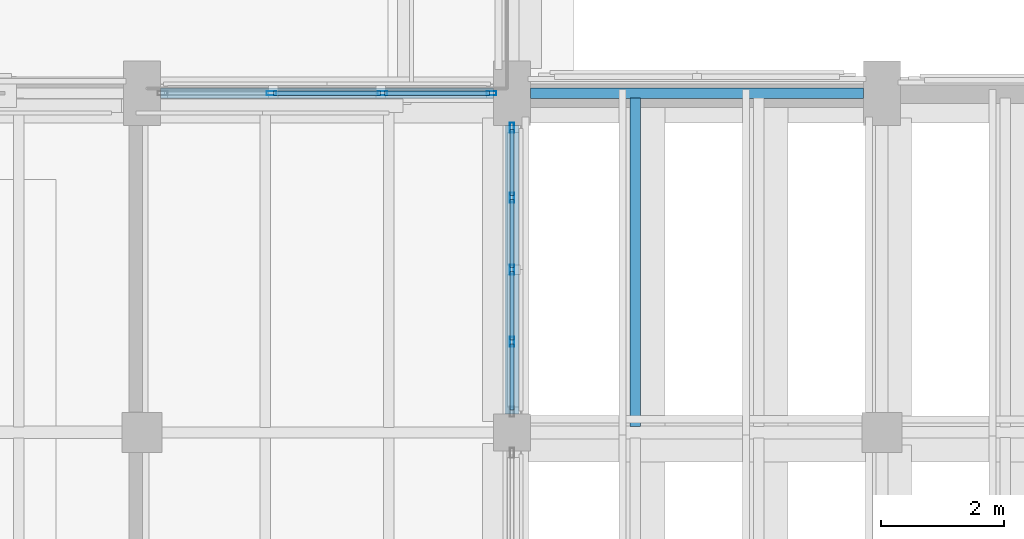
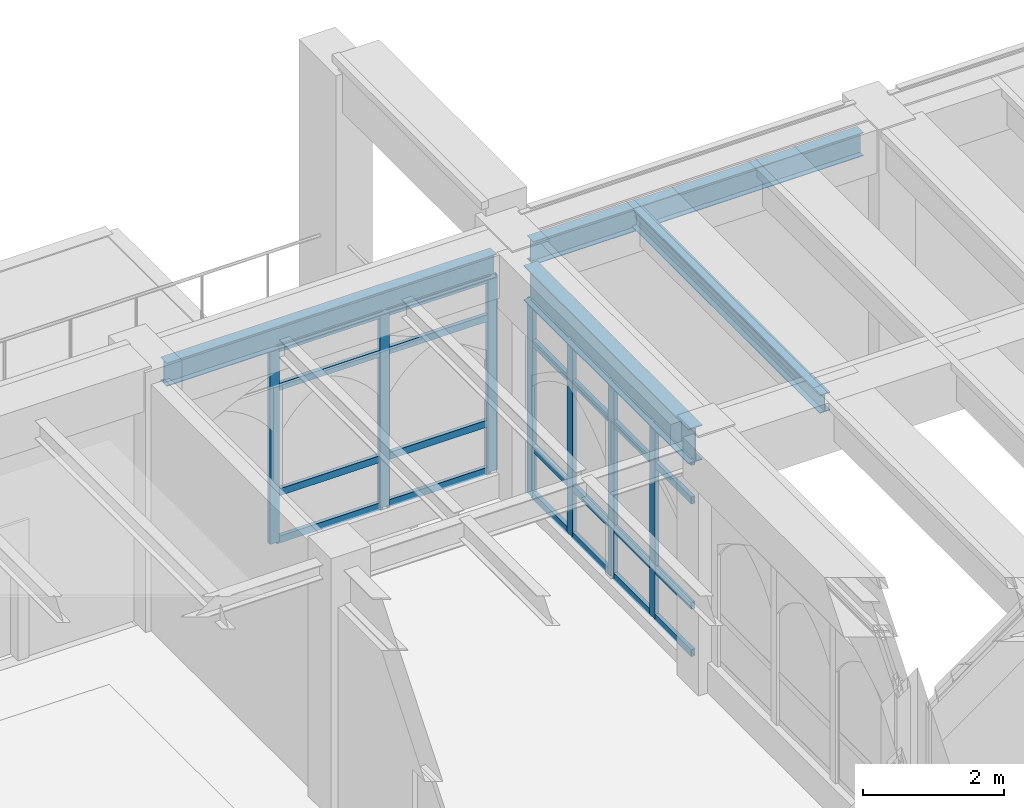
# One storey, part 58 of 127: 31 members, 4 beams, 2 elements without a shape of their own.
"""IFC4 building model written with IfcOpenShell, lengths in metres."""

from ifc_helpers import new_model, si_unit, direction, frame, origin, origin_2d, place, context, subcontext, project, spatial, hollow_rectangle, i_section, extrude, material, layer, layer_set, material_profile, profile_set, type_object, element, aggregate, save


model = new_model("IFC4")

# Units and contexts
model_context = context("Model", 3, precision=1e-05, world=origin(), true_north=direction((0.0, 1.0)))
body_context = subcontext(model_context, "Body", "Model", "MODEL_VIEW")
ifc_project = project(units=[si_unit("LENGTHUNIT", "METRE"), si_unit("AREAUNIT", "SQUARE_METRE"), si_unit("VOLUMEUNIT", "CUBIC_METRE"), si_unit("PLANEANGLEUNIT", "RADIAN"), si_unit("MASSUNIT", "GRAM", prefix="KILO")], contexts=[model_context])

# Site, building, storey
site_placement = place(None, origin())
site = spatial("IfcSite", under=ifc_project, at=site_placement, CompositionType="ELEMENT")
building_placement = place(site_placement, origin())
building = spatial("IfcBuilding", under=site, at=building_placement, Name="Cumevento Cable Car Station", CompositionType="ELEMENT")
storey_placement = place(building_placement, frame((0.0, 0.0, 4.5)))
storey = spatial("IfcBuildingStorey", under=building, at=storey_placement, Name="L02", CompositionType="ELEMENT", Elevation=4.5)

# Curtain wall, members
ifc_material_1 = material(Name="Anodised Bronze Aluminium AW-6063-T6", Category="aluminium")
ifc_layer_1 = layer(ifc_material_1, 0.238037109375)
ifc_layer_set_1 = layer_set([ifc_layer_1], Name="Anodised Bronze Aluminium AW-6063-T6")
curtain_wall_type_1 = type_object("IfcCurtainWallType", Name="Lancet Curtain Wall CW-14 1570", PredefinedType="NOTDEFINED", material=ifc_layer_set_1)
curtain_wall_1_placement = place(storey_placement, origin())
curtain_wall_1 = element("IfcCurtainWall", 1, at=curtain_wall_1_placement, inside=storey, type_object=curtain_wall_type_1, Name="Lancet Curtain Wall CW-14 L02 #61", PredefinedType="NOTDEFINED")
ifc_material_2 = material(Name="Anodised Bronze Aluminium AW-6063-T6", Category="aluminium")
ifc_material_profile_1 = material_profile(ifc_material_2, hollow_rectangle(XDim=0.06494140625, YDim=0.159912109375, WallThickness=0.00390625, at=origin_2d()), Name="ALUM65x160x4")
ifc_profile_set_1 = profile_set([ifc_material_profile_1], Name="Anodised Bronze Aluminium AW-6063-T6")
member_type_1 = type_object("IfcMemberType", Name="Curtain Mullion CWM-01 ALUM65x160x4", PredefinedType="MULLION", material=ifc_profile_set_1)
member_1_placement = place(storey_placement, frame((84.10009765625, 56.5, 0.409912109375), z_axis=(0.0, 0.0, 1.0), x_axis=(0.0, 1.0, 0.0)))
member_1 = element("IfcMember", 2, at=member_1_placement, type_object=member_type_1, Name="CW-14 mullion 2", PredefinedType="MULLION", context=body_context, shape_type="SweptSolid", body=[
    extrude(hollow_rectangle(XDim=0.06494140625, YDim=0.159912109375, WallThickness=0.00390625, at=origin_2d()), origin(), (0.0, 0.0, 1.0), 3.373046875),
])
member_2_placement = place(storey_placement, frame((85.89990234375, 56.5, 0.409912109375), z_axis=(0.0, 0.0, 1.0), x_axis=(0.0, 1.0, 0.0)))
member_2 = element("IfcMember", 3, at=member_2_placement, type_object=member_type_1, Name="CW-14 mullion 3", PredefinedType="MULLION", context=body_context, shape_type="SweptSolid", body=[
    extrude(hollow_rectangle(XDim=0.06494140625, YDim=0.159912109375, WallThickness=0.00390625, at=origin_2d()), origin(), (0.0, 0.0, 1.0), 3.373046875),
])
member_3_placement = place(storey_placement, frame((87.66748046875, 56.5, 0.409912109375), z_axis=(0.0, 0.0, 1.0), x_axis=(0.0, 1.0, 0.0)))
member_3 = element("IfcMember", 4, at=member_3_placement, type_object=member_type_1, Name="CW-14 mullion 4", PredefinedType="MULLION", context=body_context, shape_type="SweptSolid", body=[
    extrude(hollow_rectangle(XDim=0.06494140625, YDim=0.159912109375, WallThickness=0.00390625, at=origin_2d()), origin(), (0.0, 0.0, 1.0), 3.373046875),
])

ifc_material_3 = material(Name="Anodised Bronze Aluminium AW-6063-T6", Category="aluminium")
ifc_layer_2 = layer(ifc_material_3, 0.166015625)
ifc_layer_set_2 = layer_set([ifc_layer_2], Name="Anodised Bronze Aluminium AW-6063-T6")
curtain_wall_type_2 = type_object("IfcCurtainWallType", Name="Lancet Curtain Wall CW-02 1090", PredefinedType="NOTDEFINED", material=ifc_layer_set_2)
curtain_wall_2_placement = place(storey_placement, origin())
curtain_wall_2 = element("IfcCurtainWall", 5, at=curtain_wall_2_placement, inside=storey, type_object=curtain_wall_type_2, Name="Lancet Curtain Wall CW-02 L02 #65", PredefinedType="NOTDEFINED")
member_4_placement = place(storey_placement, frame((88.0, 55.9423828125, 0.2099609375), z_axis=(0.0, 0.0, 1.0), x_axis=(1.0, 0.0, 0.0)))
member_4 = element("IfcMember", 6, at=member_4_placement, type_object=member_type_1, Name="CW-02 mullion 1", PredefinedType="MULLION", context=body_context, shape_type="SweptSolid", body=[
    extrude(hollow_rectangle(XDim=0.06494140625, YDim=0.159912109375, WallThickness=0.00390625, at=origin_2d()), origin(), (0.0, 0.0, 1.0), 3.3720703125),
])
member_5_placement = place(storey_placement, frame((88.0, 54.80615234375, 0.2099609375), z_axis=(0.0, 0.0, 1.0), x_axis=(1.0, 0.0, 0.0)))
member_5 = element("IfcMember", 7, at=member_5_placement, type_object=member_type_1, Name="CW-02 mullion 2", PredefinedType="MULLION", context=body_context, shape_type="SweptSolid", body=[
    extrude(hollow_rectangle(XDim=0.06494140625, YDim=0.159912109375, WallThickness=0.00390625, at=origin_2d()), origin(), (0.0, 0.0, 1.0), 3.3720703125),
])
member_6_placement = place(storey_placement, frame((88.0, 53.637451171875, 0.2099609375), z_axis=(0.0, 0.0, 1.0), x_axis=(1.0, 0.0, 0.0)))
member_6 = element("IfcMember", 8, at=member_6_placement, type_object=member_type_1, Name="CW-02 mullion 3", PredefinedType="MULLION", context=body_context, shape_type="SweptSolid", body=[
    extrude(hollow_rectangle(XDim=0.06494140625, YDim=0.159912109375, WallThickness=0.00390625, at=origin_2d()), origin(), (0.0, 0.0, 1.0), 3.3720703125),
])
member_7_placement = place(storey_placement, frame((88.0, 52.46875, 0.2099609375), z_axis=(0.0, 0.0, 1.0), x_axis=(1.0, 0.0, 0.0)))
member_7 = element("IfcMember", 9, at=member_7_placement, type_object=member_type_1, Name="CW-02 mullion 4", PredefinedType="MULLION", context=body_context, shape_type="SweptSolid", body=[
    extrude(hollow_rectangle(XDim=0.06494140625, YDim=0.159912109375, WallThickness=0.00390625, at=origin_2d()), origin(), (0.0, 0.0, 1.0), 3.3720703125),
])

# Member
ifc_material_4 = material(Name="Anodised Bronze Aluminium AW-6063-T6", Category="aluminium")
ifc_material_profile_2 = material_profile(ifc_material_4, hollow_rectangle(XDim=0.06494140625, YDim=0.1201171875, WallThickness=0.00390625, at=origin_2d()), Name="ALUT65x120x4")
ifc_profile_set_2 = profile_set([ifc_material_profile_2], Name="Anodised Bronze Aluminium AW-6063-T6")
member_type_2 = type_object("IfcMemberType", Name="Curtain Transom CWT-01 ALUT65x120x4", PredefinedType="USERDEFINED", material=ifc_profile_set_2)
member_8_placement = place(storey_placement, frame((84.132568359375, 56.5, 0.4423828125), z_axis=(1.0, 0.0, 0.0), x_axis=(0.0, 1.0, 0.0)))
member_8 = element("IfcMember", 10, at=member_8_placement, type_object=member_type_2, Name="CW-14 transom 2.1", ObjectType="TRANSOM", PredefinedType="USERDEFINED", context=body_context, shape_type="SweptSolid", body=[
    extrude(hollow_rectangle(XDim=0.06494140625, YDim=0.1201171875, WallThickness=0.00390625, at=origin_2d()), origin(), (0.0, 0.0, 1.0), 1.73486328125),
])

member_9_placement = place(storey_placement, frame((84.132568359375, 56.5, 1.260009765625), z_axis=(1.0, 0.0, 0.0), x_axis=(0.0, 1.0, 0.0)))
member_9 = element("IfcMember", 11, at=member_9_placement, type_object=member_type_2, Name="CW-14 transom 2.2", ObjectType="TRANSOM", PredefinedType="USERDEFINED", context=body_context, shape_type="SweptSolid", body=[
    extrude(hollow_rectangle(XDim=0.06494140625, YDim=0.1201171875, WallThickness=0.00390625, at=origin_2d()), origin(), (0.0, 0.0, 1.0), 1.73486328125),
])

member_10_placement = place(storey_placement, frame((84.132568359375, 56.5, 3.0830078125), z_axis=(1.0, 0.0, 0.0), x_axis=(0.0, 1.0, 0.0)))
member_10 = element("IfcMember", 12, at=member_10_placement, type_object=member_type_2, Name="CW-14 transom 2.3", ObjectType="TRANSOM", PredefinedType="USERDEFINED", context=body_context, shape_type="SweptSolid", body=[
    extrude(hollow_rectangle(XDim=0.06494140625, YDim=0.1201171875, WallThickness=0.00390625, at=origin_2d()), origin(), (0.0, 0.0, 1.0), 1.73486328125),
])

member_11_placement = place(storey_placement, frame((84.132568359375, 56.5, 3.75048828125), z_axis=(1.0, 0.0, 0.0), x_axis=(0.0, 1.0, 0.0)))
member_11 = element("IfcMember", 13, at=member_11_placement, type_object=member_type_2, Name="CW-14 transom 2.4", ObjectType="TRANSOM", PredefinedType="USERDEFINED", context=body_context, shape_type="SweptSolid", body=[
    extrude(hollow_rectangle(XDim=0.06494140625, YDim=0.1201171875, WallThickness=0.00390625, at=origin_2d()), origin(), (0.0, 0.0, 1.0), 1.73486328125),
])

member_12_placement = place(storey_placement, frame((85.9326171875, 56.5, 0.4423828125), z_axis=(1.0, 0.0, 0.0), x_axis=(0.0, 1.0, 0.0)))
member_12 = element("IfcMember", 14, at=member_12_placement, type_object=member_type_2, Name="CW-14 transom 3.1", ObjectType="TRANSOM", PredefinedType="USERDEFINED", context=body_context, shape_type="SweptSolid", body=[
    extrude(hollow_rectangle(XDim=0.06494140625, YDim=0.1201171875, WallThickness=0.00390625, at=origin_2d()), origin(), (0.0, 0.0, 1.0), 1.702392578125),
])

member_13_placement = place(storey_placement, frame((85.9326171875, 56.5, 1.260009765625), z_axis=(1.0, 0.0, 0.0), x_axis=(0.0, 1.0, 0.0)))
member_13 = element("IfcMember", 15, at=member_13_placement, type_object=member_type_2, Name="CW-14 transom 3.2", ObjectType="TRANSOM", PredefinedType="USERDEFINED", context=body_context, shape_type="SweptSolid", body=[
    extrude(hollow_rectangle(XDim=0.06494140625, YDim=0.1201171875, WallThickness=0.00390625, at=origin_2d()), origin(), (0.0, 0.0, 1.0), 1.702392578125),
])

member_14_placement = place(storey_placement, frame((85.9326171875, 56.5, 3.0830078125), z_axis=(1.0, 0.0, 0.0), x_axis=(0.0, 1.0, 0.0)))
member_14 = element("IfcMember", 16, at=member_14_placement, type_object=member_type_2, Name="CW-14 transom 3.3", ObjectType="TRANSOM", PredefinedType="USERDEFINED", context=body_context, shape_type="SweptSolid", body=[
    extrude(hollow_rectangle(XDim=0.06494140625, YDim=0.1201171875, WallThickness=0.00390625, at=origin_2d()), origin(), (0.0, 0.0, 1.0), 1.702392578125),
])

member_15_placement = place(storey_placement, frame((85.9326171875, 56.5, 3.75048828125), z_axis=(1.0, 0.0, 0.0), x_axis=(0.0, 1.0, 0.0)))
member_15 = element("IfcMember", 17, at=member_15_placement, type_object=member_type_2, Name="CW-14 transom 3.4", ObjectType="TRANSOM", PredefinedType="USERDEFINED", context=body_context, shape_type="SweptSolid", body=[
    extrude(hollow_rectangle(XDim=0.06494140625, YDim=0.1201171875, WallThickness=0.00390625, at=origin_2d()), origin(), (0.0, 0.0, 1.0), 1.702392578125),
])

aggregate(curtain_wall_1, [member_1, member_2, member_3, member_8, member_9, member_10, member_11, member_12, member_13, member_14, member_15])

member_16_placement = place(storey_placement, frame((88.0, 55.909912109375, 0.242431640625), z_axis=(0.0, -1.0, 0.0), x_axis=(1.0, 0.0, 0.0)))
member_16 = element("IfcMember", 18, at=member_16_placement, type_object=member_type_2, Name="CW-02 transom 1.1", ObjectType="TRANSOM", PredefinedType="USERDEFINED", context=body_context, shape_type="SweptSolid", body=[
    extrude(hollow_rectangle(XDim=0.06494140625, YDim=0.1201171875, WallThickness=0.00390625, at=origin_2d()), origin(), (0.0, 0.0, 1.0), 1.071044921875),
])

member_17_placement = place(storey_placement, frame((88.0, 55.909912109375, 1.06005859375), z_axis=(0.0, -1.0, 0.0), x_axis=(1.0, 0.0, 0.0)))
member_17 = element("IfcMember", 19, at=member_17_placement, type_object=member_type_2, Name="CW-02 transom 1.2", ObjectType="TRANSOM", PredefinedType="USERDEFINED", context=body_context, shape_type="SweptSolid", body=[
    extrude(hollow_rectangle(XDim=0.06494140625, YDim=0.1201171875, WallThickness=0.00390625, at=origin_2d()), origin(), (0.0, 0.0, 1.0), 1.071044921875),
])

member_18_placement = place(storey_placement, frame((88.0, 55.909912109375, 2.882080078125), z_axis=(0.0, -1.0, 0.0), x_axis=(1.0, 0.0, 0.0)))
member_18 = element("IfcMember", 20, at=member_18_placement, type_object=member_type_2, Name="CW-02 transom 1.3", ObjectType="TRANSOM", PredefinedType="USERDEFINED", context=body_context, shape_type="SweptSolid", body=[
    extrude(hollow_rectangle(XDim=0.06494140625, YDim=0.1201171875, WallThickness=0.00390625, at=origin_2d()), origin(), (0.0, 0.0, 1.0), 1.071044921875),
])

member_19_placement = place(storey_placement, frame((88.0, 55.909912109375, 3.549560546875), z_axis=(0.0, -1.0, 0.0), x_axis=(1.0, 0.0, 0.0)))
member_19 = element("IfcMember", 21, at=member_19_placement, type_object=member_type_2, Name="CW-02 transom 1.4", ObjectType="TRANSOM", PredefinedType="USERDEFINED", context=body_context, shape_type="SweptSolid", body=[
    extrude(hollow_rectangle(XDim=0.06494140625, YDim=0.1201171875, WallThickness=0.00390625, at=origin_2d()), origin(), (0.0, 0.0, 1.0), 1.071044921875),
])

member_20_placement = place(storey_placement, frame((88.0, 54.773681640625, 0.242431640625), z_axis=(0.0, -1.0, 0.0), x_axis=(1.0, 0.0, 0.0)))
member_20 = element("IfcMember", 22, at=member_20_placement, type_object=member_type_2, Name="CW-02 transom 2.1", ObjectType="TRANSOM", PredefinedType="USERDEFINED", context=body_context, shape_type="SweptSolid", body=[
    extrude(hollow_rectangle(XDim=0.06494140625, YDim=0.1201171875, WallThickness=0.00390625, at=origin_2d()), origin(), (0.0, 0.0, 1.0), 1.103759765625),
])

member_21_placement = place(storey_placement, frame((88.0, 54.773681640625, 1.06005859375), z_axis=(0.0, -1.0, 0.0), x_axis=(1.0, 0.0, 0.0)))
member_21 = element("IfcMember", 23, at=member_21_placement, type_object=member_type_2, Name="CW-02 transom 2.2", ObjectType="TRANSOM", PredefinedType="USERDEFINED", context=body_context, shape_type="SweptSolid", body=[
    extrude(hollow_rectangle(XDim=0.06494140625, YDim=0.1201171875, WallThickness=0.00390625, at=origin_2d()), origin(), (0.0, 0.0, 1.0), 1.103759765625),
])

member_22_placement = place(storey_placement, frame((88.0, 54.773681640625, 2.882080078125), z_axis=(0.0, -1.0, 0.0), x_axis=(1.0, 0.0, 0.0)))
member_22 = element("IfcMember", 24, at=member_22_placement, type_object=member_type_2, Name="CW-02 transom 2.3", ObjectType="TRANSOM", PredefinedType="USERDEFINED", context=body_context, shape_type="SweptSolid", body=[
    extrude(hollow_rectangle(XDim=0.06494140625, YDim=0.1201171875, WallThickness=0.00390625, at=origin_2d()), origin(), (0.0, 0.0, 1.0), 1.103759765625),
])

member_23_placement = place(storey_placement, frame((88.0, 54.773681640625, 3.549560546875), z_axis=(0.0, -1.0, 0.0), x_axis=(1.0, 0.0, 0.0)))
member_23 = element("IfcMember", 25, at=member_23_placement, type_object=member_type_2, Name="CW-02 transom 2.4", ObjectType="TRANSOM", PredefinedType="USERDEFINED", context=body_context, shape_type="SweptSolid", body=[
    extrude(hollow_rectangle(XDim=0.06494140625, YDim=0.1201171875, WallThickness=0.00390625, at=origin_2d()), origin(), (0.0, 0.0, 1.0), 1.103759765625),
])

member_24_placement = place(storey_placement, frame((88.0, 53.60498046875, 0.242431640625), z_axis=(0.0, -1.0, 0.0), x_axis=(1.0, 0.0, 0.0)))
member_24 = element("IfcMember", 26, at=member_24_placement, type_object=member_type_2, Name="CW-02 transom 3.1", ObjectType="TRANSOM", PredefinedType="USERDEFINED", context=body_context, shape_type="SweptSolid", body=[
    extrude(hollow_rectangle(XDim=0.06494140625, YDim=0.1201171875, WallThickness=0.00390625, at=origin_2d()), origin(), (0.0, 0.0, 1.0), 1.103759765625),
])

member_25_placement = place(storey_placement, frame((88.0, 53.60498046875, 1.06005859375), z_axis=(0.0, -1.0, 0.0), x_axis=(1.0, 0.0, 0.0)))
member_25 = element("IfcMember", 27, at=member_25_placement, type_object=member_type_2, Name="CW-02 transom 3.2", ObjectType="TRANSOM", PredefinedType="USERDEFINED", context=body_context, shape_type="SweptSolid", body=[
    extrude(hollow_rectangle(XDim=0.06494140625, YDim=0.1201171875, WallThickness=0.00390625, at=origin_2d()), origin(), (0.0, 0.0, 1.0), 1.103759765625),
])

member_26_placement = place(storey_placement, frame((88.0, 53.60498046875, 2.882080078125), z_axis=(0.0, -1.0, 0.0), x_axis=(1.0, 0.0, 0.0)))
member_26 = element("IfcMember", 28, at=member_26_placement, type_object=member_type_2, Name="CW-02 transom 3.3", ObjectType="TRANSOM", PredefinedType="USERDEFINED", context=body_context, shape_type="SweptSolid", body=[
    extrude(hollow_rectangle(XDim=0.06494140625, YDim=0.1201171875, WallThickness=0.00390625, at=origin_2d()), origin(), (0.0, 0.0, 1.0), 1.103759765625),
])

member_27_placement = place(storey_placement, frame((88.0, 53.60498046875, 3.549560546875), z_axis=(0.0, -1.0, 0.0), x_axis=(1.0, 0.0, 0.0)))
member_27 = element("IfcMember", 29, at=member_27_placement, type_object=member_type_2, Name="CW-02 transom 3.4", ObjectType="TRANSOM", PredefinedType="USERDEFINED", context=body_context, shape_type="SweptSolid", body=[
    extrude(hollow_rectangle(XDim=0.06494140625, YDim=0.1201171875, WallThickness=0.00390625, at=origin_2d()), origin(), (0.0, 0.0, 1.0), 1.103759765625),
])

member_28_placement = place(storey_placement, frame((88.0, 52.436279296875, 0.242431640625), z_axis=(0.0, -1.0, 0.0), x_axis=(1.0, 0.0, 0.0)))
member_28 = element("IfcMember", 30, at=member_28_placement, type_object=member_type_2, Name="CW-02 transom 4.1", ObjectType="TRANSOM", PredefinedType="USERDEFINED", context=body_context, shape_type="SweptSolid", body=[
    extrude(hollow_rectangle(XDim=0.06494140625, YDim=0.1201171875, WallThickness=0.00390625, at=origin_2d()), origin(), (0.0, 0.0, 1.0), 1.0712890625),
])

member_29_placement = place(storey_placement, frame((88.0, 52.436279296875, 1.06005859375), z_axis=(0.0, -1.0, 0.0), x_axis=(1.0, 0.0, 0.0)))
member_29 = element("IfcMember", 31, at=member_29_placement, type_object=member_type_2, Name="CW-02 transom 4.2", ObjectType="TRANSOM", PredefinedType="USERDEFINED", context=body_context, shape_type="SweptSolid", body=[
    extrude(hollow_rectangle(XDim=0.06494140625, YDim=0.1201171875, WallThickness=0.00390625, at=origin_2d()), origin(), (0.0, 0.0, 1.0), 1.0712890625),
])

member_30_placement = place(storey_placement, frame((88.0, 52.436279296875, 2.882080078125), z_axis=(0.0, -1.0, 0.0), x_axis=(1.0, 0.0, 0.0)))
member_30 = element("IfcMember", 32, at=member_30_placement, type_object=member_type_2, Name="CW-02 transom 4.3", ObjectType="TRANSOM", PredefinedType="USERDEFINED", context=body_context, shape_type="SweptSolid", body=[
    extrude(hollow_rectangle(XDim=0.06494140625, YDim=0.1201171875, WallThickness=0.00390625, at=origin_2d()), origin(), (0.0, 0.0, 1.0), 1.0712890625),
])

member_31_placement = place(storey_placement, frame((88.0, 52.436279296875, 3.549560546875), z_axis=(0.0, -1.0, 0.0), x_axis=(1.0, 0.0, 0.0)))
member_31 = element("IfcMember", 33, at=member_31_placement, type_object=member_type_2, Name="CW-02 transom 4.4", ObjectType="TRANSOM", PredefinedType="USERDEFINED", context=body_context, shape_type="SweptSolid", body=[
    extrude(hollow_rectangle(XDim=0.06494140625, YDim=0.1201171875, WallThickness=0.00390625, at=origin_2d()), origin(), (0.0, 0.0, 1.0), 1.0712890625),
])

aggregate(curtain_wall_2, [member_4, member_5, member_6, member_7, member_16, member_17, member_18, member_19, member_20, member_21, member_22, member_23, member_24, member_25, member_26, member_27, member_28, member_29, member_30, member_31])

# Beams
ifc_material_5 = material(Name="Steel ASTM A572 Grade 50", Category="steel")
ifc_material_profile_3 = material_profile(ifc_material_5, i_section(OverallWidth=0.22802734375, OverallDepth=0.60791015625, WebThickness=0.01123046875, FlangeThickness=0.017333984375, at=origin_2d()), Name="W610x113.0")
ifc_profile_set_3 = profile_set([ifc_material_profile_3], Name="Steel ASTM A572 Grade 50")
beam_type_1 = type_object("IfcBeamType", Name="Structural Beam BM-02 W610x113.0", PredefinedType="BEAM", material=ifc_profile_set_3)
beam_1_placement = place(storey_placement, frame((88.0, 51.300048828125, 3.885986328125), z_axis=(0.0, 1.0, 0.0), x_axis=(-1.0, 0.0, 0.0)))
element("IfcBeam", 34, at=beam_1_placement, inside=storey, type_object=beam_type_1, Name="Beam BM-02 L02 #610", PredefinedType="BEAM", context=body_context, shape_type="SweptSolid", body=[
    extrude(i_section(OverallWidth=0.22802734375, OverallDepth=0.60791015625, WebThickness=0.01123046875, FlangeThickness=0.017333984375, at=origin_2d()), origin(), (0.0, 0.0, 1.0), 4.675048828125),
])
ifc_material_6 = material(Name="Steel ASTM A572 Grade 50", Category="steel")
ifc_material_profile_4 = material_profile(ifc_material_6, i_section(OverallWidth=0.1669921875, OverallDepth=0.31689453125, WebThickness=0.007568359375, FlangeThickness=0.01318359375, at=origin_2d()), Name="W310x52.0")
ifc_profile_set_4 = profile_set([ifc_material_profile_4], Name="Steel ASTM A572 Grade 50")
beam_type_2 = type_object("IfcBeamType", Name="Structural Joist JS-02 W310x52.0", PredefinedType="JOIST", material=ifc_profile_set_4)
beam_2_placement = place(storey_placement, frame((90.0, 51.093505859375, 4.031494140625), z_axis=(0.0, 1.0, 0.0), x_axis=(-1.0, 0.0, 0.0)))
element("IfcBeam", 35, at=beam_2_placement, inside=storey, type_object=beam_type_2, Name="Composite Floor Joist JS-02 L02 #835", PredefinedType="JOIST", context=body_context, shape_type="SweptSolid", body=[
    extrude(i_section(OverallWidth=0.1669921875, OverallDepth=0.31689453125, WebThickness=0.007568359375, FlangeThickness=0.01318359375, at=origin_2d()), origin(), (0.0, 0.0, 1.0), 5.32958984375),
])
ifc_material_7 = material(Name="Steel ASTM A572 Grade 50", Category="steel")
ifc_material_profile_5 = material_profile(ifc_material_7, i_section(OverallWidth=0.177978515625, OverallDepth=0.406982421875, WebThickness=0.0078125, FlangeThickness=0.0126953125, at=origin_2d()), Name="W410x60.0")
ifc_profile_set_5 = profile_set([ifc_material_profile_5], Name="Steel ASTM A572 Grade 50")
beam_type_3 = type_object("IfcBeamType", Name="Structural Spandrel SP-01 W410x60.0", PredefinedType="SPANDREL", material=ifc_profile_set_5)
for number, where, z_axis, x_axis, name in (
    (36, (82.300048828125, 56.5, 3.986572265625), (1.0, 0.0, 0.0), (0.0, 1.0, 0.0), "Beam SP-01 L02 #602"),
    (37, (88.300048828125, 56.5, 3.986572265625), (1.0, 0.0, 0.0), (0.0, 1.0, 0.0), "Beam SP-01 L02 #621"),
):
    element("IfcBeam", number, at=place(storey_placement, frame(where, z_axis=z_axis, x_axis=x_axis)), inside=storey, type_object=beam_type_3, Name=name, PredefinedType="SPANDREL", context=body_context, shape_type="SweptSolid", body=[
        extrude(i_section(OverallWidth=0.177978515625, OverallDepth=0.406982421875, WebThickness=0.0078125, FlangeThickness=0.0126953125, at=origin_2d()), origin(), (0.0, 0.0, 1.0), 5.39990234375),
    ])

save(model, "model.ifc")
